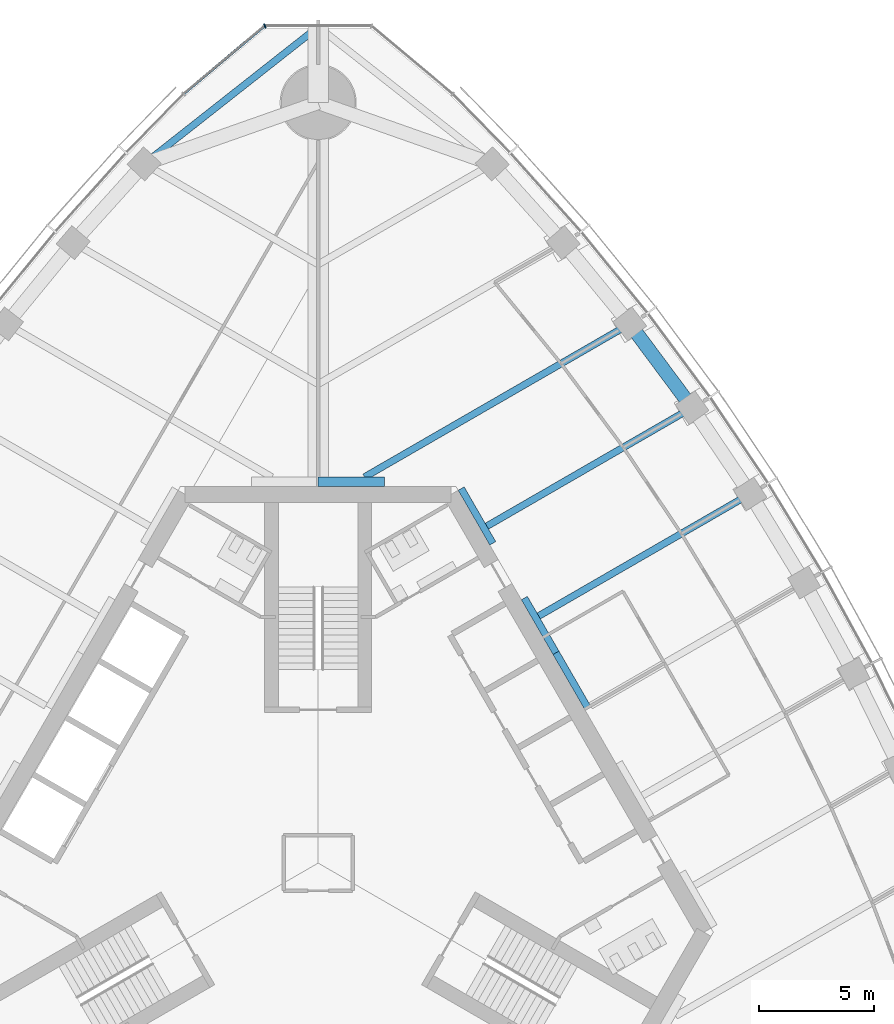
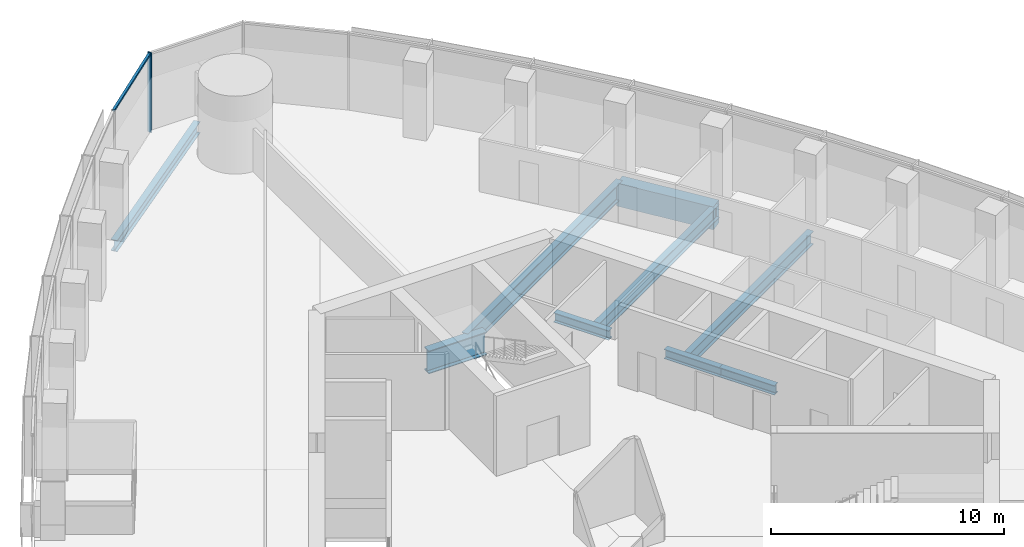
# One storey, part 6 of 20: 9 beams, 2 members, 1 element without a shape of its own.
"""IFC4 building model written with IfcOpenShell, lengths in metres."""

from ifc_helpers import new_model, si_unit, direction, frame, origin, origin_2d, place, context, subcontext, project, spatial, rectangle, i_section, extrude, material, material_profile, profile_set, type_object, element, aggregate, save


model = new_model("IFC4")

# Units and contexts
model_context = context("Model", 3, precision=1e-05, world=origin(), true_north=direction((0.0, 1.0)))
body_context = subcontext(model_context, "Body", "Model", "MODEL_VIEW")
ifc_project = project(units=[si_unit("LENGTHUNIT", "METRE"), si_unit("AREAUNIT", "SQUARE_METRE"), si_unit("VOLUMEUNIT", "CUBIC_METRE"), si_unit("PLANEANGLEUNIT", "RADIAN"), si_unit("MASSUNIT", "GRAM", prefix="KILO")], contexts=[model_context])

# Site, building, storey
site_placement = place(None, origin())
site = spatial("IfcSite", under=ifc_project, at=site_placement, CompositionType="ELEMENT")
building_placement = place(site_placement, origin())
building = spatial("IfcBuilding", under=site, at=building_placement, Name="Trefoil Bronze Tower", CompositionType="ELEMENT")
storey_placement = place(building_placement, frame((0.0, 0.0, 231.699951171875)))
storey = spatial("IfcBuildingStorey", under=building, at=storey_placement, Name="L53", CompositionType="ELEMENT", Elevation=231.699951171875)

# Curtain wall, members
ifc_material_1 = material(Name="Tinted solar-control glass", Category="glass")
curtain_wall_type = type_object("IfcCurtainWallType", Name="Bronze rounded corner curtain wall", PredefinedType="USERDEFINED", material=ifc_material_1)
curtain_wall_placement = place(storey_placement, origin())
curtain_wall = element("IfcCurtainWall", 1, at=curtain_wall_placement, inside=storey, type_object=curtain_wall_type, Name="CW-B L53 K2", ObjectType="CURTAIN WALL", PredefinedType="USERDEFINED")
ifc_material_2 = material(Name="Bronze-finish aluminium", Category="aluminium")
ifc_material_profile_1 = material_profile(ifc_material_2, rectangle(XDim=0.199951171875, YDim=0.06005859375, at=origin_2d()), Name="CW-B mullion")
ifc_profile_set_1 = profile_set([ifc_material_profile_1], Name="Bronze-finish aluminium")
member_type_1 = type_object("IfcMemberType", Name="Bronze rounded corner curtain wall mullion", PredefinedType="MULLION", material=ifc_profile_set_1)
member_1_placement = place(storey_placement, frame((-2.314453125, 36.326416015625, 0.0), z_axis=(0.0, 0.0, 1.0), x_axis=(0.342020143326, -0.939692620786, 0.0)))
member_1 = element("IfcMember", 2, at=member_1_placement, type_object=member_type_1, Name="CW-B L53 K2 mullion 3", PredefinedType="MULLION", context=body_context, shape_type="SweptSolid", body=[
    extrude(rectangle(XDim=0.199951171875, YDim=0.06005859375, at=origin_2d()), origin(), (0.0, 0.0, 1.0), 4.179931640625),
])
ifc_material_3 = material(Name="Bronze-finish aluminium", Category="aluminium")
ifc_material_profile_2 = material_profile(ifc_material_3, rectangle(XDim=0.1201171875, YDim=0.10009765625, at=origin_2d()), Name="CW-B transom")
ifc_profile_set_2 = profile_set([ifc_material_profile_2], Name="Bronze-finish aluminium")
member_type_2 = type_object("IfcMemberType", Name="Bronze rounded corner curtain wall transom", PredefinedType="USERDEFINED", material=ifc_profile_set_2)
member_2_placement = place(storey_placement, frame((-2.367431640625, 36.289794921875, 4.130126953125), z_axis=(-0.766046761698, -0.642784846501, 0.0), x_axis=(0.642784846501, -0.766046761698, 0.0)))
member_2 = element("IfcMember", 3, at=member_2_placement, type_object=member_type_2, Name="CW-B L53 K2 transom 3", ObjectType="TRANSOM", PredefinedType="USERDEFINED", context=body_context, shape_type="SweptSolid", body=[
    extrude(rectangle(XDim=0.1201171875, YDim=0.10009765625, at=origin_2d()), origin(), (0.0, 0.0, 1.0), 4.5),
])
aggregate(curtain_wall, [member_1, member_2])

# Beams
ifc_material_4 = material(Name="Steel C355", Category="steel")
ifc_material_profile_3 = material_profile(ifc_material_4, i_section(OverallWidth=0.300048828125, OverallDepth=0.5, WebThickness=0.014404296875, FlangeThickness=0.028076171875, FilletRadius=0.027099609375, at=origin_2d()), Name="HEB 500")
ifc_profile_set_3 = profile_set([ifc_material_profile_3], Name="Steel C355")
beam_type_1 = type_object("IfcBeamType", Name="Core seat beam HEB 500", PredefinedType="BEAM", material=ifc_profile_set_3)
for number, where, z_axis, x_axis, name in (
    (4, (11.69140625, 6.75, -0.449951171875), (-0.500035825175, 0.866004719122, 0.0), (-0.866004719122, -0.500035825175, 0.0), "Core seat beam F2/+0 L53"),
    (5, (10.320068359375, 9.125, -0.449951171875), (-0.499969057507, 0.866043267704, 0.0), (-0.866043267704, -0.499969057507, 0.0), "Core seat beam F2/+1 L53"),
    (6, (7.57763671875, 13.875, -0.449951171875), (-0.499969057507, 0.866043267704, 0.0), (-0.866043267704, -0.499969057507, 0.0), "Core seat beam F2/+2 L53"),
):
    element("IfcBeam", number, at=place(storey_placement, frame(where, z_axis=z_axis, x_axis=x_axis)), inside=storey, type_object=beam_type_1, Name=name, PredefinedType="BEAM", context=body_context, shape_type="SweptSolid", body=[
        extrude(i_section(OverallWidth=0.300048828125, OverallDepth=0.5, WebThickness=0.014404296875, FlangeThickness=0.028076171875, FilletRadius=0.027099609375, at=origin_2d()), origin(), (0.0, 0.0, 1.0), 2.742431640625),
    ])
ifc_material_5 = material(Name="Steel C355", Category="steel")
ifc_material_profile_4 = material_profile(ifc_material_5, i_section(OverallWidth=0.39990234375, OverallDepth=1.199951171875, WebThickness=0.02001953125, FlangeThickness=0.0400390625, FilletRadius=0.010009765625, at=origin_2d()), Name="WPG 1200")
ifc_profile_set_4 = profile_set([ifc_material_profile_4], Name="Steel C355")
beam_type_2 = type_object("IfcBeamType", Name="Core seat beam WPG 1200", PredefinedType="BEAM", material=ifc_profile_set_4)
beam_1_placement = place(storey_placement, frame((2.88671875, 16.550048828125, -0.800048828125), z_axis=(-1.0, 0.0, 0.0), x_axis=(0.0, -1.0, 0.0)))
element("IfcBeam", 7, at=beam_1_placement, inside=storey, type_object=beam_type_2, Name="Core seat beam F2/+3 L53", PredefinedType="BEAM", context=body_context, shape_type="SweptSolid", body=[
    extrude(i_section(OverallWidth=0.39990234375, OverallDepth=1.199951171875, WebThickness=0.02001953125, FlangeThickness=0.0400390625, FilletRadius=0.010009765625, at=origin_2d()), origin(), (0.0, 0.0, 1.0), 2.88671875),
])
ifc_material_6 = material(Name="Steel C355", Category="steel")
ifc_material_profile_5 = material_profile(ifc_material_6, i_section(OverallWidth=0.300048828125, OverallDepth=0.60009765625, WebThickness=0.015380859375, FlangeThickness=0.030029296875, FilletRadius=0.027099609375, at=origin_2d()), Name="HEB 600")
ifc_profile_set_5 = profile_set([ifc_material_profile_5], Name="Steel C355")
beam_type_3 = type_object("IfcBeamType", Name="Corner edge beam HEB 600", PredefinedType="BEAM", material=ifc_profile_set_5)
beam_2_placement = place(storey_placement, frame((-7.552001953125, 30.3408203125, -0.5), z_axis=(0.785805912008, 0.618473175371, 0.0), x_axis=(-0.618473175371, 0.785805912008, 0.0)))
element("IfcBeam", 8, at=beam_2_placement, inside=storey, type_object=beam_type_3, Name="Corner edge beam F3B L53", PredefinedType="BEAM", context=body_context, shape_type="SweptSolid", body=[
    extrude(i_section(OverallWidth=0.300048828125, OverallDepth=0.60009765625, WebThickness=0.015380859375, FlangeThickness=0.030029296875, FilletRadius=0.027099609375, at=origin_2d()), origin(), (0.0, 0.0, 1.0), 9.610595703125),
])
ifc_material_7 = material(Name="Steel C355", Category="steel")
ifc_material_profile_6 = material_profile(ifc_material_7, i_section(OverallWidth=0.300048828125, OverallDepth=0.699951171875, WebThickness=0.01708984375, FlangeThickness=0.031982421875, FilletRadius=0.027099609375, at=origin_2d()), Name="HEB 700")
ifc_profile_set_6 = profile_set([ifc_material_profile_6], Name="Steel C355")
beam_type_4 = type_object("IfcBeamType", Name="Floor beam HEB 700", PredefinedType="BEAM", material=ifc_profile_set_6)
beam_3_placement = place(storey_placement, frame((18.748046875, 16.020263671875, -0.550048828125), z_axis=(-0.86602981261, -0.499992363612, 0.0), x_axis=(0.499992363612, -0.86602981261, 0.0)))
element("IfcBeam", 9, at=beam_3_placement, inside=storey, type_object=beam_type_4, Name="Floor beam F2/+1 L53", PredefinedType="BEAM", context=body_context, shape_type="SweptSolid", body=[
    extrude(i_section(OverallWidth=0.300048828125, OverallDepth=0.699951171875, WebThickness=0.01708984375, FlangeThickness=0.031982421875, FilletRadius=0.027099609375, at=origin_2d()), origin(), (0.0, 0.0, 1.0), 10.596435546875),
])
beam_4_placement = place(storey_placement, frame((16.2265625, 19.7607421875, -0.550048828125), z_axis=(-0.866019527493, -0.500010177898, 0.0), x_axis=(0.500010177898, -0.866019527493, 0.0)))
element("IfcBeam", 10, at=beam_4_placement, inside=storey, type_object=beam_type_4, Name="Floor beam F2/+2 L53", PredefinedType="BEAM", context=body_context, shape_type="SweptSolid", body=[
    extrude(i_section(OverallWidth=0.300048828125, OverallDepth=0.699951171875, WebThickness=0.01708984375, FlangeThickness=0.031982421875, FilletRadius=0.027099609375, at=origin_2d()), origin(), (0.0, 0.0, 1.0), 10.282958984375),
])
ifc_material_8 = material(Name="Steel C355", Category="steel")
ifc_material_profile_7 = material_profile(ifc_material_8, i_section(OverallWidth=0.300048828125, OverallDepth=0.89990234375, WebThickness=0.0185546875, FlangeThickness=0.034912109375, FilletRadius=0.030029296875, at=origin_2d()), Name="HEB 900")
ifc_profile_set_7 = profile_set([ifc_material_profile_7], Name="Steel C355")
beam_type_5 = type_object("IfcBeamType", Name="Floor beam HEB 900", PredefinedType="BEAM", material=ifc_profile_set_7)
beam_5_placement = place(storey_placement, frame((13.522216796875, 23.3955078125, -0.64990234375), z_axis=(-0.866023461342, -0.500003364394, 0.0), x_axis=(0.500003364394, -0.866023461342, 0.0)))
element("IfcBeam", 11, at=beam_5_placement, inside=storey, type_object=beam_type_5, Name="Floor beam F2/+3 L53", PredefinedType="BEAM", context=body_context, shape_type="SweptSolid", body=[
    extrude(i_section(OverallWidth=0.300048828125, OverallDepth=0.89990234375, WebThickness=0.0185546875, FlangeThickness=0.034912109375, FilletRadius=0.030029296875, at=origin_2d()), origin(), (0.0, 0.0, 1.0), 13.291015625),
])
ifc_material_9 = material(Name="Concrete B80", Category="concrete")
ifc_material_profile_8 = material_profile(ifc_material_9, rectangle(XDim=0.60009765625, YDim=1.199951171875, at=origin_2d()), Name="RC 600x1200")
ifc_profile_set_8 = profile_set([ifc_material_profile_8], Name="Concrete B80")
beam_type_6 = type_object("IfcBeamType", Name="Spandrel beam RC 600x1200", PredefinedType="SPANDREL", material=ifc_profile_set_8)
beam_6_placement = place(storey_placement, frame((16.2265625, 19.7607421875, -0.800048828125), z_axis=(-0.596926078257, 0.802296240236, 0.0), x_axis=(-0.802296240236, -0.596926078257, 0.0)))
element("IfcBeam", 12, at=beam_6_placement, inside=storey, type_object=beam_type_6, Name="Spandrel F2.9 L53", PredefinedType="SPANDREL", context=body_context, shape_type="SweptSolid", body=[
    extrude(rectangle(XDim=0.60009765625, YDim=1.199951171875, at=origin_2d()), origin(), (0.0, 0.0, 1.0), 4.530517578125),
])

save(model, "model.ifc")
